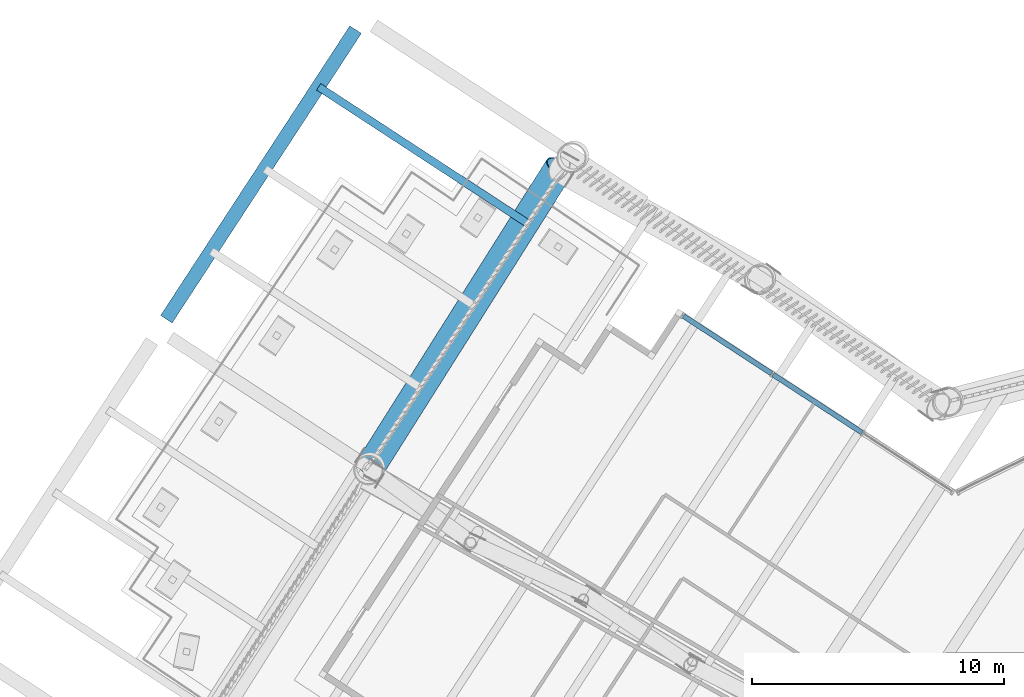
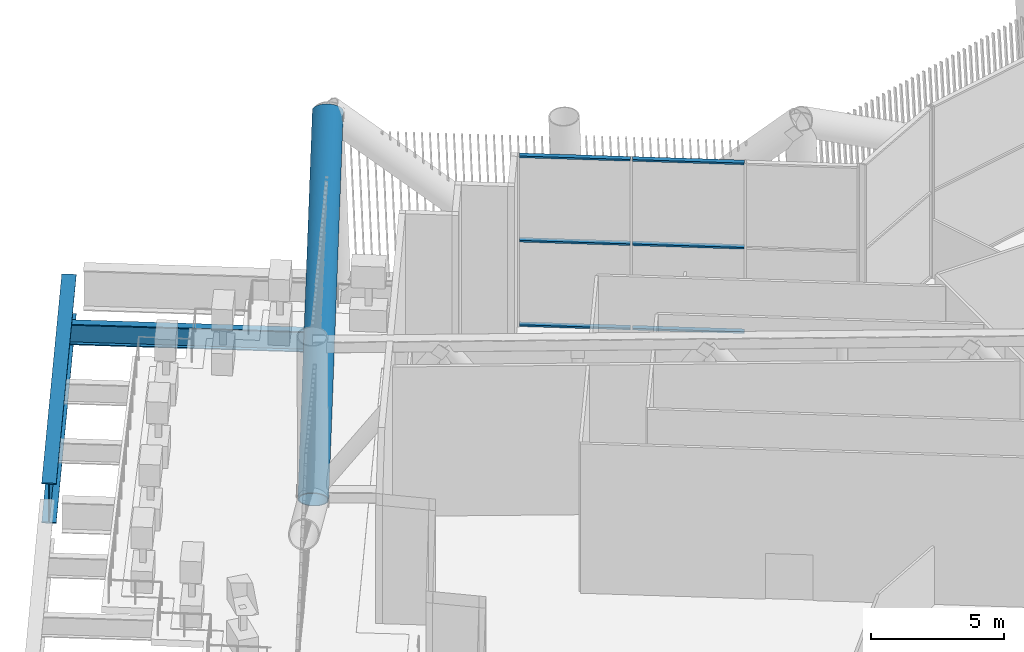
# One storey, part 27 of 63: 7 members, 2 beams, 1 element without a shape of its own.
"""IFC4 building model written with IfcOpenShell, lengths in metres."""

from ifc_helpers import new_model, si_unit, direction, frame, origin, origin_2d, place, context, subcontext, project, spatial, hollow_rectangle, hollow_circle, i_section, extrude, material, layer, layer_set, material_profile, profile_set, type_object, element, aggregate, save


model = new_model("IFC4")

# Units and contexts
model_context = context("Model", 3, precision=1e-05, world=origin(), true_north=direction((0.0, 1.0)))
body_context = subcontext(model_context, "Body", "Model", "MODEL_VIEW")
ifc_project = project(units=[si_unit("LENGTHUNIT", "METRE"), si_unit("AREAUNIT", "SQUARE_METRE"), si_unit("VOLUMEUNIT", "CUBIC_METRE"), si_unit("PLANEANGLEUNIT", "RADIAN"), si_unit("MASSUNIT", "GRAM", prefix="KILO")], contexts=[model_context])

# Site, building, storey
site_placement = place(None, origin())
site = spatial("IfcSite", under=ifc_project, at=site_placement, CompositionType="ELEMENT")
building_placement = place(site_placement, origin())
building = spatial("IfcBuilding", under=site, at=building_placement, Name="Tarsis Ring Headquarters", CompositionType="ELEMENT")
storey_placement = place(building_placement, frame((0.0, 0.0, 139.60009765625)))
storey = spatial("IfcBuildingStorey", under=building, at=storey_placement, Name="L32", CompositionType="ELEMENT", Elevation=139.60009765625)

# Curtain wall, members
ifc_material_1 = material(Name="Aluminium curtain wall", Category="aluminium")
ifc_layer = layer(ifc_material_1, 0.25)
ifc_layer_set = layer_set([ifc_layer], Name="Curtain wall sky lobby")
curtain_wall_type = type_object("IfcCurtainWallType", Name="Curtain wall sky lobby", PredefinedType="NOTDEFINED", material=ifc_layer_set)
curtain_wall_placement = place(storey_placement, origin())
curtain_wall = element("IfcCurtainWall", 1, at=curtain_wall_placement, inside=storey, type_object=curtain_wall_type, Name="Curtain wall L32-31", PredefinedType="NOTDEFINED")
ifc_material_2 = material(Name="Aluminium transom", Category="aluminium")
ifc_material_profile_1 = material_profile(ifc_material_2, hollow_rectangle(XDim=0.199951171875, YDim=0.080078125, WallThickness=0.0048828125, at=origin_2d()), Name="RHS 200x80x5")
ifc_profile_set_1 = profile_set([ifc_material_profile_1], Name="Aluminium transom")
member_type_1 = type_object("IfcMemberType", Name="Curtain wall transom sky lobby RHS 200x80x5", PredefinedType="USERDEFINED", material=ifc_profile_set_1)
member_1_placement = place(storey_placement, frame((-16.265869140625, 24.81298828125, 0.039794921875), z_axis=(-0.837140771863, 0.546987502677, 0.0), x_axis=(-0.546987502677, -0.837140771863, 0.0)))
member_1 = element("IfcMember", 2, at=member_1_placement, type_object=member_type_1, Name="CW-S transom 2.1", ObjectType="TRANSOM", PredefinedType="USERDEFINED", context=body_context, shape_type="SweptSolid", body=[
    extrude(hollow_rectangle(XDim=0.199951171875, YDim=0.080078125, WallThickness=0.0048828125, at=origin_2d()), origin(), (0.0, 0.0, 1.0), 4.220458984375),
])
member_2_placement = place(storey_placement, frame((-16.265869140625, 24.81298828125, 3.919921875), z_axis=(-0.837140771863, 0.546987502677, 0.0), x_axis=(-0.546987502677, -0.837140771863, 0.0)))
member_2 = element("IfcMember", 3, at=member_2_placement, type_object=member_type_1, Name="CW-S transom 2.2", ObjectType="TRANSOM", PredefinedType="USERDEFINED", context=body_context, shape_type="SweptSolid", body=[
    extrude(hollow_rectangle(XDim=0.199951171875, YDim=0.080078125, WallThickness=0.0048828125, at=origin_2d()), origin(), (0.0, 0.0, 1.0), 4.220458984375),
])
member_3_placement = place(storey_placement, frame((-16.265869140625, 24.81298828125, 7.7998046875), z_axis=(-0.837140771863, 0.546987502677, 0.0), x_axis=(-0.546987502677, -0.837140771863, 0.0)))
member_3 = element("IfcMember", 4, at=member_3_placement, type_object=member_type_1, Name="CW-S transom 2.3", ObjectType="TRANSOM", PredefinedType="USERDEFINED", context=body_context, shape_type="SweptSolid", body=[
    extrude(hollow_rectangle(XDim=0.199951171875, YDim=0.080078125, WallThickness=0.0048828125, at=origin_2d()), origin(), (0.0, 0.0, 1.0), 4.220458984375),
])
member_4_placement = place(storey_placement, frame((-19.865966796875, 27.165283203125, 0.039794921875), z_axis=(-0.837153721008, 0.546967684057, 0.0), x_axis=(-0.546967684057, -0.837153721008, 0.0)))
member_4 = element("IfcMember", 5, at=member_4_placement, type_object=member_type_1, Name="CW-S transom 3.1", ObjectType="TRANSOM", PredefinedType="USERDEFINED", context=body_context, shape_type="SweptSolid", body=[
    extrude(hollow_rectangle(XDim=0.199951171875, YDim=0.080078125, WallThickness=0.0048828125, at=origin_2d()), origin(), (0.0, 0.0, 1.0), 4.180419921875),
])
member_5_placement = place(storey_placement, frame((-19.865966796875, 27.165283203125, 3.919921875), z_axis=(-0.837153721008, 0.546967684057, 0.0), x_axis=(-0.546967684057, -0.837153721008, 0.0)))
member_5 = element("IfcMember", 6, at=member_5_placement, type_object=member_type_1, Name="CW-S transom 3.2", ObjectType="TRANSOM", PredefinedType="USERDEFINED", context=body_context, shape_type="SweptSolid", body=[
    extrude(hollow_rectangle(XDim=0.199951171875, YDim=0.080078125, WallThickness=0.0048828125, at=origin_2d()), origin(), (0.0, 0.0, 1.0), 4.180419921875),
])
member_6_placement = place(storey_placement, frame((-19.865966796875, 27.165283203125, 7.7998046875), z_axis=(-0.837153721008, 0.546967684057, 0.0), x_axis=(-0.546967684057, -0.837153721008, 0.0)))
member_6 = element("IfcMember", 7, at=member_6_placement, type_object=member_type_1, Name="CW-S transom 3.3", ObjectType="TRANSOM", PredefinedType="USERDEFINED", context=body_context, shape_type="SweptSolid", body=[
    extrude(hollow_rectangle(XDim=0.199951171875, YDim=0.080078125, WallThickness=0.0048828125, at=origin_2d()), origin(), (0.0, 0.0, 1.0), 4.180419921875),
])
aggregate(curtain_wall, [member_1, member_2, member_3, member_4, member_5, member_6])

# Beam
ifc_material_3 = material(Name="Structural steel S355", Category="steel")
ifc_material_profile_2 = material_profile(ifc_material_3, i_section(OverallWidth=0.309814453125, OverallDepth=0.949951171875, WebThickness=0.0244140625, FlangeThickness=0.0439453125, at=origin_2d()), Name="W36x256")
ifc_profile_set_2 = profile_set([ifc_material_profile_2], Name="Structural steel S355")
beam_type_1 = type_object("IfcBeamType", Name="TB Transfer beam W36x256", PredefinedType="BEAM", material=ifc_profile_set_2)
beam_1_placement = place(storey_placement, frame((-37.861572265625, 38.555908203125, -0.775146484375), z_axis=(0.837149455711, -0.546974212192, 0.0), x_axis=(0.546974212192, 0.837149455711, 0.0)))
element("IfcBeam", 8, at=beam_1_placement, inside=storey, type_object=beam_type_1, Name="Transfer beam TB11", PredefinedType="BEAM", context=body_context, shape_type="SweptSolid", body=[
    extrude(i_section(OverallWidth=0.309814453125, OverallDepth=0.949951171875, WebThickness=0.0244140625, FlangeThickness=0.0439453125, at=origin_2d()), origin(), (0.0, 0.0, 1.0), 9.969970703125),
])

# Member
ifc_material_profile_3 = material_profile(ifc_material_3, hollow_circle(Radius=0.584228515625, WallThickness=0.044921875, at=origin_2d()), Name="CHS 1168x45")
ifc_profile_set_3 = profile_set([ifc_material_profile_3], Name="Structural steel S355")
member_type_2 = type_object("IfcMemberType", Name="TD Belt truss diagonal CHS 1168x45", PredefinedType="BRACE", material=ifc_profile_set_3)
member_7_placement = place(storey_placement, frame((-35.829833984375, 23.41064453125, 0.0), z_axis=(0.464190350563, 0.736021928104, 0.492746425451), x_axis=(-0.845834071743, 0.533446082635, 0.0)))
element("IfcMember", 9, at=member_7_placement, inside=storey, type_object=member_type_2, Name="Belt truss diagonal TD3", PredefinedType="BRACE", context=body_context, shape_type="SweptSolid", body=[
    extrude(hollow_circle(Radius=0.584228515625, WallThickness=0.044921875, at=origin_2d()), origin(), (0.0, 0.0, 1.0), 16.235595703125),
])

# Beam
ifc_material_profile_4 = material_profile(ifc_material_3, i_section(OverallWidth=0.550048828125, OverallDepth=1.85009765625, WebThickness=0.030029296875, FlangeThickness=0.050048828125, at=origin_2d()), Name="PG 1850x550x30x50")
ifc_profile_set_4 = profile_set([ifc_material_profile_4], Name="Structural steel S355")
beam_type_2 = type_object("IfcBeamType", Name="XG Ring girder PG 1850x550x30x50", PredefinedType="BEAM", material=ifc_profile_set_4)
beam_2_placement = place(storey_placement, frame((-43.913818359375, 29.320556640625, -0.925048828125), z_axis=(0.546984757856, 0.837142565322, 0.0), x_axis=(-0.837142565322, 0.546984757856, 0.0)))
element("IfcBeam", 10, at=beam_2_placement, inside=storey, type_object=beam_type_2, Name="Ring girder XG8", PredefinedType="BEAM", context=body_context, shape_type="SweptSolid", body=[
    extrude(i_section(OverallWidth=0.550048828125, OverallDepth=1.85009765625, WebThickness=0.030029296875, FlangeThickness=0.050048828125, at=origin_2d()), origin(), (0.0, 0.0, 1.0), 13.74853515625),
])

save(model, "model.ifc")
